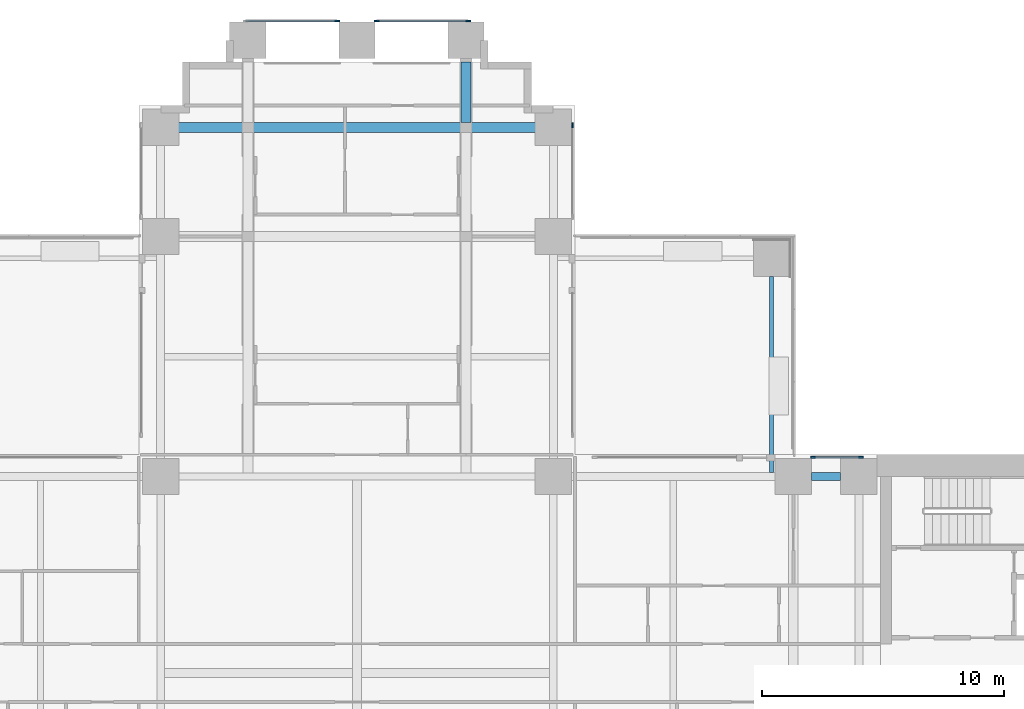
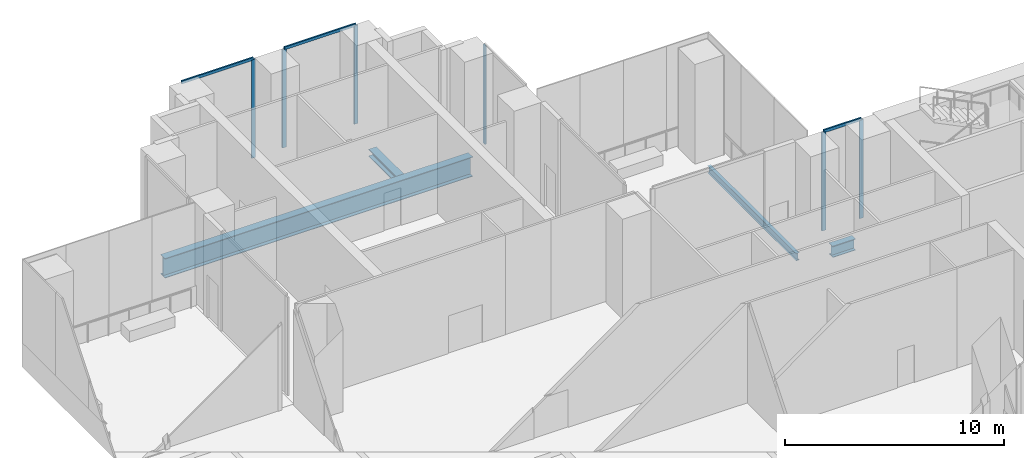
# One storey, part 5 of 17: 9 members, 4 beams, 4 elements without a shape of their own.
"""IFC4 building model written with IfcOpenShell, lengths in metres."""

from ifc_helpers import new_model, si_unit, direction, frame, origin, origin_2d, place, context, subcontext, project, spatial, rectangle, i_section, extrude, material, material_profile, profile_set, type_object, element, aggregate, save


model = new_model("IFC4")

# Units and contexts
model_context = context("Model", 3, precision=1e-05, world=origin(), true_north=direction((0.0, 1.0)))
body_context = subcontext(model_context, "Body", "Model", "MODEL_VIEW")
ifc_project = project(units=[si_unit("LENGTHUNIT", "METRE"), si_unit("AREAUNIT", "SQUARE_METRE"), si_unit("VOLUMEUNIT", "CUBIC_METRE"), si_unit("PLANEANGLEUNIT", "RADIAN"), si_unit("MASSUNIT", "GRAM", prefix="KILO")], contexts=[model_context])

# Site, building, storey
site_placement = place(None, origin())
site = spatial("IfcSite", under=ifc_project, at=site_placement, CompositionType="ELEMENT")
building_placement = place(site_placement, origin())
building = spatial("IfcBuilding", under=site, at=building_placement, Name="Perihelion Cross Residences", CompositionType="ELEMENT")
storey_placement = place(building_placement, frame((0.0, 0.0, 21.0)))
storey = spatial("IfcBuildingStorey", under=building, at=storey_placement, Name="L02", CompositionType="ELEMENT", Elevation=21.0)

# Curtain wall, members
ifc_material_1 = material(Name="Bronze anodised aluminium, tinted glazing", Category="aluminium")
curtain_wall_type = type_object("IfcCurtainWallType", Name="CW2", PredefinedType="NOTDEFINED", material=ifc_material_1)
curtain_wall_1_placement = place(storey_placement, origin())
curtain_wall_1 = element("IfcCurtainWall", 1, at=curtain_wall_1_placement, inside=storey, type_object=curtain_wall_type, Name="Curtain wall CW2 L02 east side north bay 1", PredefinedType="NOTDEFINED")
ifc_material_2 = material(Name="Bronze anodised aluminium", Category="aluminium")
ifc_material_profile_1 = material_profile(ifc_material_2, rectangle(XDim=0.080078125, YDim=0.199951171875, at=origin_2d()), Name="CW2 mullion")
ifc_profile_set_1 = profile_set([ifc_material_profile_1], Name="Bronze anodised aluminium")
member_type_1 = type_object("IfcMemberType", Name="CW2 mullion", PredefinedType="MULLION", material=ifc_profile_set_1)
member_1_placement = place(storey_placement, frame((20.7900390625, 8.889892578125, 0.0), z_axis=(0.0, 0.0, 1.0), x_axis=(0.0, -1.0, 0.0)))
member_1 = element("IfcMember", 2, at=member_1_placement, type_object=member_type_1, Name="CW2 mullion 1", PredefinedType="MULLION", context=body_context, shape_type="SweptSolid", body=[
    extrude(rectangle(XDim=0.080078125, YDim=0.199951171875, at=origin_2d()), origin(), (0.0, 0.0, 1.0), 5.469970703125),
])
member_2_placement = place(storey_placement, frame((18.81005859375, 8.889892578125, 0.0), z_axis=(0.0, 0.0, 1.0), x_axis=(0.0, -1.0, 0.0)))
member_2 = element("IfcMember", 3, at=member_2_placement, type_object=member_type_1, Name="CW2 mullion 2", PredefinedType="MULLION", context=body_context, shape_type="SweptSolid", body=[
    extrude(rectangle(XDim=0.080078125, YDim=0.199951171875, at=origin_2d()), origin(), (0.0, 0.0, 1.0), 5.469970703125),
])

# Curtain wall, member
curtain_wall_2_placement = place(storey_placement, origin())
curtain_wall_2 = element("IfcCurtainWall", 4, at=curtain_wall_2_placement, inside=storey, type_object=curtain_wall_type, Name="Curtain wall CW2 L02 north side east bay 2", PredefinedType="NOTDEFINED")
member_3_placement = place(storey_placement, frame((8.889892578125, 22.590087890625, 0.0), z_axis=(0.0, 0.0, 1.0), x_axis=(-1.0, 0.0, 0.0)))
member_3 = element("IfcMember", 5, at=member_3_placement, type_object=member_type_1, Name="CW2 mullion 2", PredefinedType="MULLION", context=body_context, shape_type="SweptSolid", body=[
    extrude(rectangle(XDim=0.080078125, YDim=0.199951171875, at=origin_2d()), origin(), (0.0, 0.0, 1.0), 5.469970703125),
])
aggregate(curtain_wall_2, [member_3])

# Curtain wall, members
curtain_wall_3_placement = place(storey_placement, origin())
curtain_wall_3 = element("IfcCurtainWall", 6, at=curtain_wall_3_placement, inside=storey, type_object=curtain_wall_type, Name="Curtain wall CW2 L02 north tip north bay 1", PredefinedType="NOTDEFINED")
member_4_placement = place(storey_placement, frame((4.590087890625, 26.889892578125, 0.0), z_axis=(0.0, 0.0, 1.0), x_axis=(0.0, -1.0, 0.0)))
member_4 = element("IfcMember", 7, at=member_4_placement, type_object=member_type_1, Name="CW2 mullion 1", PredefinedType="MULLION", context=body_context, shape_type="SweptSolid", body=[
    extrude(rectangle(XDim=0.080078125, YDim=0.199951171875, at=origin_2d()), origin(), (0.0, 0.0, 1.0), 5.469970703125),
])
member_5_placement = place(storey_placement, frame((0.81005859375, 26.889892578125, 0.0), z_axis=(0.0, 0.0, 1.0), x_axis=(0.0, -1.0, 0.0)))
member_5 = element("IfcMember", 8, at=member_5_placement, type_object=member_type_1, Name="CW2 mullion 2", PredefinedType="MULLION", context=body_context, shape_type="SweptSolid", body=[
    extrude(rectangle(XDim=0.080078125, YDim=0.199951171875, at=origin_2d()), origin(), (0.0, 0.0, 1.0), 5.469970703125),
])

# Curtain wall, member
curtain_wall_4_placement = place(storey_placement, origin())
curtain_wall_4 = element("IfcCurtainWall", 9, at=curtain_wall_4_placement, inside=storey, type_object=curtain_wall_type, Name="Curtain wall CW2 L02 north tip north bay 2", PredefinedType="NOTDEFINED")
member_6_placement = place(storey_placement, frame((-0.81005859375, 26.889892578125, 0.0), z_axis=(0.0, 0.0, 1.0), x_axis=(0.0, -1.0, 0.0)))
member_6 = element("IfcMember", 10, at=member_6_placement, type_object=member_type_1, Name="CW2 mullion 1", PredefinedType="MULLION", context=body_context, shape_type="SweptSolid", body=[
    extrude(rectangle(XDim=0.080078125, YDim=0.199951171875, at=origin_2d()), origin(), (0.0, 0.0, 1.0), 5.469970703125),
])

# Member
ifc_material_3 = material(Name="Bronze anodised aluminium", Category="aluminium")
ifc_material_profile_2 = material_profile(ifc_material_3, rectangle(XDim=0.080078125, YDim=0.159912109375, at=origin_2d()), Name="CW2 transom")
ifc_profile_set_2 = profile_set([ifc_material_profile_2], Name="Bronze anodised aluminium")
member_type_2 = type_object("IfcMemberType", Name="CW2 transom", PredefinedType="USERDEFINED", material=ifc_profile_set_2)
member_7_placement = place(storey_placement, frame((20.7900390625, 8.889892578125, 5.510009765625), z_axis=(-1.0, 0.0, 0.0), x_axis=(0.0, -1.0, 0.0)))
member_7 = element("IfcMember", 11, at=member_7_placement, type_object=member_type_2, Name="CW2 head transom", ObjectType="TRANSOM", PredefinedType="USERDEFINED", context=body_context, shape_type="SweptSolid", body=[
    extrude(rectangle(XDim=0.080078125, YDim=0.159912109375, at=origin_2d()), origin(), (0.0, 0.0, 1.0), 1.97998046875),
])

aggregate(curtain_wall_1, [member_1, member_2, member_7])

member_8_placement = place(storey_placement, frame((4.590087890625, 26.889892578125, 5.510009765625), z_axis=(-1.0, 0.0, 0.0), x_axis=(0.0, -1.0, 0.0)))
member_8 = element("IfcMember", 12, at=member_8_placement, type_object=member_type_2, Name="CW2 head transom", ObjectType="TRANSOM", PredefinedType="USERDEFINED", context=body_context, shape_type="SweptSolid", body=[
    extrude(rectangle(XDim=0.080078125, YDim=0.159912109375, at=origin_2d()), origin(), (0.0, 0.0, 1.0), 3.780029296875),
])

aggregate(curtain_wall_3, [member_4, member_5, member_8])

member_9_placement = place(storey_placement, frame((-0.81005859375, 26.889892578125, 5.510009765625), z_axis=(-1.0, 0.0, 0.0), x_axis=(0.0, -1.0, 0.0)))
member_9 = element("IfcMember", 13, at=member_9_placement, type_object=member_type_2, Name="CW2 head transom", ObjectType="TRANSOM", PredefinedType="USERDEFINED", context=body_context, shape_type="SweptSolid", body=[
    extrude(rectangle(XDim=0.080078125, YDim=0.159912109375, at=origin_2d()), origin(), (0.0, 0.0, 1.0), 3.780029296875),
])

aggregate(curtain_wall_4, [member_6, member_9])

# Beams
ifc_material_4 = material(Name="Steel S355", Category="steel")
ifc_material_profile_3 = material_profile(ifc_material_4, i_section(OverallWidth=0.406005859375, OverallDepth=0.4169921875, WebThickness=0.030029296875, FlangeThickness=0.048095703125, at=origin_2d()), Name="W360x382")
ifc_profile_set_3 = profile_set([ifc_material_profile_3], Name="Steel S355")
beam_type_1 = type_object("IfcBeamType", Name="Core edge beam W360x382", PredefinedType="BEAM", material=ifc_profile_set_3)
beam_1_placement = place(storey_placement, frame((4.5, 22.700439453125, -0.508544921875), z_axis=(0.0, 1.0, 0.0), x_axis=(-1.0, 0.0, 0.0)))
element("IfcBeam", 14, at=beam_1_placement, inside=storey, type_object=beam_type_1, Name="Core edge beam TB3 L02 spine no. 12", PredefinedType="BEAM", context=body_context, shape_type="SweptSolid", body=[
    extrude(i_section(OverallWidth=0.406005859375, OverallDepth=0.4169921875, WebThickness=0.030029296875, FlangeThickness=0.048095703125, at=origin_2d()), origin(), (0.0, 0.0, 1.0), 2.49951171875),
])
ifc_material_5 = material(Name="Steel S355", Category="steel")
ifc_material_profile_4 = material_profile(ifc_material_5, i_section(OverallWidth=0.177978515625, OverallDepth=0.406005859375, WebThickness=0.0078125, FlangeThickness=0.0126953125, at=origin_2d()), Name="W410x60")
ifc_profile_set_4 = profile_set([ifc_material_profile_4], Name="Steel S355")
beam_type_2 = type_object("IfcBeamType", Name="Core edge beam W410x60", PredefinedType="BEAM", material=ifc_profile_set_4)
beam_2_placement = place(storey_placement, frame((17.10009765625, 8.264892578125, -0.5029296875), z_axis=(0.0, 1.0, 0.0), x_axis=(-1.0, 0.0, 0.0)))
element("IfcBeam", 15, at=beam_2_placement, inside=storey, type_object=beam_type_2, Name="Core edge beam TB2 L02 corner no. 7", PredefinedType="BEAM", context=body_context, shape_type="SweptSolid", body=[
    extrude(i_section(OverallWidth=0.177978515625, OverallDepth=0.406005859375, WebThickness=0.0078125, FlangeThickness=0.0126953125, at=origin_2d()), origin(), (0.0, 0.0, 1.0), 8.085205078125),
])
ifc_material_6 = material(Name="Steel S355", Category="steel")
ifc_material_profile_5 = material_profile(ifc_material_6, i_section(OverallWidth=0.330078125, OverallDepth=0.635009765625, WebThickness=0.017822265625, FlangeThickness=0.031005859375, at=origin_2d()), Name="W610x241")
ifc_profile_set_5 = profile_set([ifc_material_profile_5], Name="Steel S355")
beam_type_3 = type_object("IfcBeamType", Name="Edge beam W610x241", PredefinedType="SPANDREL", material=ifc_profile_set_5)
beam_3_placement = place(storey_placement, frame((19.949951171875, 8.10009765625, -0.617431640625), z_axis=(-1.0, 0.0, 0.0), x_axis=(0.0, -1.0, 0.0)))
element("IfcBeam", 16, at=beam_3_placement, inside=storey, type_object=beam_type_3, Name="Edge beam SB1 L02 no. 11", PredefinedType="SPANDREL", context=body_context, shape_type="SweptSolid", body=[
    extrude(i_section(OverallWidth=0.330078125, OverallDepth=0.635009765625, WebThickness=0.017822265625, FlangeThickness=0.031005859375, at=origin_2d()), origin(), (0.0, 0.0, 1.0), 1.199951171875),
])
ifc_material_7 = material(Name="Steel S355", Category="steel")
ifc_material_profile_6 = material_profile(ifc_material_7, i_section(OverallWidth=0.40087890625, OverallDepth=1.090087890625, WebThickness=0.01806640625, FlangeThickness=0.031005859375, at=origin_2d()), Name="W1100x343")
ifc_profile_set_6 = profile_set([ifc_material_profile_6], Name="Steel S355")
beam_type_4 = type_object("IfcBeamType", Name="Transfer girder W1100x343", PredefinedType="BEAM", material=ifc_profile_set_6)
beam_4_placement = place(storey_placement, frame((-8.10009765625, 22.5, -0.844970703125), z_axis=(1.0, 0.0, 0.0), x_axis=(0.0, 1.0, 0.0)))
element("IfcBeam", 17, at=beam_4_placement, inside=storey, type_object=beam_type_4, Name="Girder TG1 L02 no. 6", PredefinedType="BEAM", context=body_context, shape_type="SweptSolid", body=[
    extrude(i_section(OverallWidth=0.40087890625, OverallDepth=1.090087890625, WebThickness=0.01806640625, FlangeThickness=0.031005859375, at=origin_2d()), origin(), (0.0, 0.0, 1.0), 16.2001953125),
])

save(model, "model.ifc")
